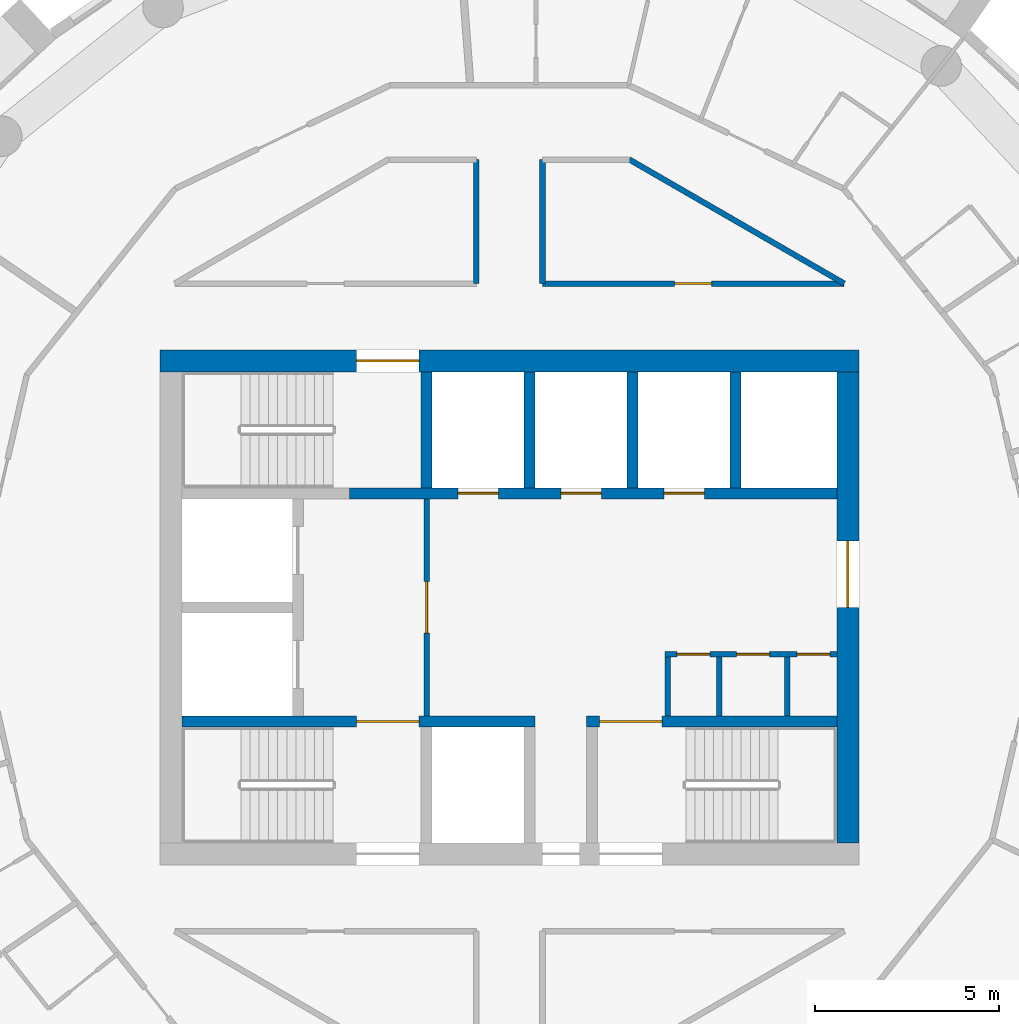
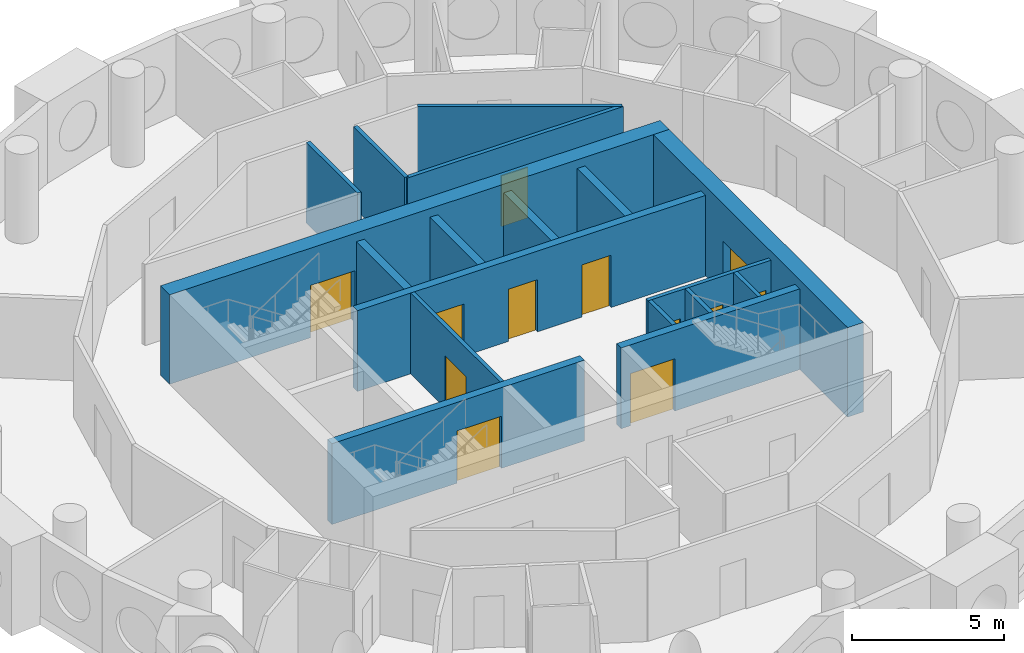
# One storey, part 8 of 13: 18 walls, 12 doors, 12 openings.
"""IFC4 building model written with IfcOpenShell, lengths in metres."""

from ifc_helpers import new_model, si_unit, direction, frame, frame_2d, origin, place, context, subcontext, project, spatial, rectangle, extrude, material, layer, layer_set, type_object, element, fill, save


model = new_model("IFC4")

# Units and contexts
model_context = context("Model", 3, precision=1e-05, world=origin(), true_north=direction((0.0, 1.0)))
body_context = subcontext(model_context, "Body", "Model", "MODEL_VIEW")
ifc_project = project(units=[si_unit("LENGTHUNIT", "METRE"), si_unit("AREAUNIT", "SQUARE_METRE"), si_unit("VOLUMEUNIT", "CUBIC_METRE"), si_unit("PLANEANGLEUNIT", "RADIAN"), si_unit("MASSUNIT", "GRAM", prefix="KILO")], contexts=[model_context])

# Site, building, storey
site_placement = place(None, origin())
site = spatial("IfcSite", under=ifc_project, at=site_placement, CompositionType="ELEMENT")
building_placement = place(site_placement, origin())
building = spatial("IfcBuilding", under=site, at=building_placement, Name="Tracery Tower", CompositionType="ELEMENT")
storey_placement = place(building_placement, frame((0.0, 0.0, 256.199951171875)))
storey = spatial("IfcBuildingStorey", under=building, at=storey_placement, Name="L66", CompositionType="ELEMENT", Elevation=256.199951171875)

# Wall, opening, door
ifc_material_1 = material(Name="Plasterboard on steel studs", Category="steel")
ifc_layer_1 = layer(ifc_material_1, 0.14990234375)
ifc_layer_set_1 = layer_set([ifc_layer_1], Name="Core lobby partition 150")
wall_type_1 = type_object("IfcWallType", Name="Core lobby partition 150", PredefinedType="SOLIDWALL", material=ifc_layer_set_1)
wall_1_placement = place(storey_placement, frame((-2.25, -2.949951171875, 0.0), z_axis=(0.0, 0.0, 1.0), x_axis=(0.0, 1.0, 0.0)))
wall_1 = element("IfcWall", 1, at=wall_1_placement, inside=storey, type_object=wall_type_1, Name="L66 FF lobby E", PredefinedType="SOLIDWALL", context=body_context, shape_type="SweptSolid", body=[
    extrude(rectangle(XDim=5.89990234375, YDim=0.14990234375, at=frame_2d((2.949951171875, 0.0))), origin(), (0.0, 0.0, 1.0), 3.25),
])
opening_1_placement = place(wall_1_placement, frame((2.25, 0.0, 0.0)))
opening_1 = element("IfcOpeningElement", 2, at=opening_1_placement, cuts=wall_1, Name="Opening KD8", PredefinedType="OPENING", context=body_context, shape_type="SweptSolid", body=[
    extrude(rectangle(XDim=1.39990234375, YDim=2.10009765625, at=frame_2d((0.699951171875, 1.050048828125))), frame((0.0, 0.074951171875, 0.0), z_axis=(0.0, -1.0, 0.0), x_axis=(1.0, 0.0, 0.0)), (0.0, 0.0, 1.0), 0.14990234375),
])
ifc_material_2 = material(Name="Steel fire door", Category="steel")
door_type_1 = type_object("IfcDoorType", Name="Core lobby door 1400 double", OperationType="NOTDEFINED", PredefinedType="DOOR", material=ifc_material_2)
door_1_placement = place(opening_1_placement, origin())
door_1 = element("IfcDoor", 3, at=door_1_placement, inside=storey, type_object=door_type_1, Name="Fire-fighting lobby door", OperationType="DOUBLE_DOOR_SINGLE_SWING", OverallHeight=2.10009765625, OverallWidth=1.39990234375, PredefinedType="DOOR", context=body_context, shape_type="SweptSolid", body=[
    extrude(rectangle(XDim=1.39990234375, YDim=2.10009765625, at=frame_2d((0.699951171875, 1.050048828125))), frame((0.0, 0.02490234375, 0.0), z_axis=(0.0, -1.0, 0.0), x_axis=(1.0, 0.0, 0.0)), (0.0, 0.0, 1.0), 0.050048828125),
])
fill(opening_1, door_1)

# Wall
ifc_material_3 = material(Name="Plasterboard on steel studs", Category="steel")
ifc_layer_2 = layer(ifc_material_3, 0.14990234375)
ifc_layer_set_2 = layer_set([ifc_layer_2], Name="Core room partition 150")
wall_type_2 = type_object("IfcWallType", Name="Core room partition 150", PredefinedType="SOLIDWALL", material=ifc_layer_set_2)
wall_2_placement = place(storey_placement, frame((4.300048828125, -2.949951171875, 0.0), z_axis=(0.0, 0.0, 1.0), x_axis=(0.0, 1.0, 0.0)))
element("IfcWall", 4, at=wall_2_placement, inside=storey, type_object=wall_type_2, Name="L66 slot W", PredefinedType="SOLIDWALL", context=body_context, shape_type="SweptSolid", body=[
    extrude(rectangle(XDim=1.599853515625, YDim=0.14990234375, at=frame_2d((0.7998046875, 0.0))), origin(), (0.0, 0.0, 1.0), 3.25),
])

# Wall, openings, doors
wall_3_placement = place(storey_placement, frame((4.22509765625, -1.27490234375, 0.0), z_axis=(0.0, 0.0, 1.0), x_axis=(1.0, 0.0, 0.0)))
wall_3 = element("IfcWall", 5, at=wall_3_placement, inside=storey, type_object=wall_type_2, Name="L66 slot N", PredefinedType="SOLIDWALL", context=body_context, shape_type="SweptSolid", body=[
    extrude(rectangle(XDim=4.6748046875, YDim=0.14990234375, at=frame_2d((2.33740234375, 0.0))), origin(), (0.0, 0.0, 1.0), 3.25),
])
opening_2_placement = place(wall_3_placement, frame((0.324951171875, 0.0, 0.0)))
opening_2 = element("IfcOpeningElement", 6, at=opening_2_placement, cuts=wall_3, Name="Opening KD27", PredefinedType="OPENING", context=body_context, shape_type="SweptSolid", body=[
    extrude(rectangle(XDim=0.89990234375, YDim=2.10009765625, at=frame_2d((0.449951171875, 1.050048828125))), frame((0.0, 0.074951171875, 0.0), z_axis=(0.0, -1.0, 0.0), x_axis=(1.0, 0.0, 0.0)), (0.0, 0.0, 1.0), 0.14990234375),
])
opening_3_placement = place(wall_3_placement, frame((1.949951171875, 0.0, 0.0)))
opening_3 = element("IfcOpeningElement", 7, at=opening_3_placement, cuts=wall_3, Name="Opening KD21", PredefinedType="OPENING", context=body_context, shape_type="SweptSolid", body=[
    extrude(rectangle(XDim=0.89990234375, YDim=2.10009765625, at=frame_2d((0.449951171875, 1.050048828125))), frame((0.0, 0.074951171875, 0.0), z_axis=(0.0, -1.0, 0.0), x_axis=(1.0, 0.0, 0.0)), (0.0, 0.0, 1.0), 0.14990234375),
])
opening_4_placement = place(wall_3_placement, frame((3.58740234375, 0.0, 0.0)))
opening_4 = element("IfcOpeningElement", 8, at=opening_4_placement, cuts=wall_3, Name="Opening KD32", PredefinedType="OPENING", context=body_context, shape_type="SweptSolid", body=[
    extrude(rectangle(XDim=0.89990234375, YDim=2.10009765625, at=frame_2d((0.449951171875, 1.050048828125))), frame((0.0, 0.074951171875, 0.0), z_axis=(0.0, -1.0, 0.0), x_axis=(1.0, 0.0, 0.0)), (0.0, 0.0, 1.0), 0.14990234375),
])
ifc_material_4 = material(Name="Timber door leaf", Category="wood")
door_type_2 = type_object("IfcDoorType", Name="Core WC door 900", OperationType="NOTDEFINED", PredefinedType="DOOR", material=ifc_material_4)
door_2_placement = place(opening_3_placement, origin())
door_2 = element("IfcDoor", 9, at=door_2_placement, inside=storey, type_object=door_type_2, Name="Core door", OperationType="SINGLE_SWING_LEFT", OverallHeight=2.10009765625, OverallWidth=0.89990234375, PredefinedType="DOOR", context=body_context, shape_type="SweptSolid", body=[
    extrude(rectangle(XDim=0.89990234375, YDim=2.10009765625, at=frame_2d((0.449951171875, 1.050048828125))), frame((0.0, 0.02490234375, 0.0), z_axis=(0.0, -1.0, 0.0), x_axis=(1.0, 0.0, 0.0)), (0.0, 0.0, 1.0), 0.050048828125),
])
fill(opening_3, door_2)
ifc_material_5 = material(Name="Steel fire door", Category="steel")
door_type_3 = type_object("IfcDoorType", Name="Core riser door 900", OperationType="NOTDEFINED", PredefinedType="DOOR", material=ifc_material_5)
door_3_placement = place(opening_4_placement, origin())
door_3 = element("IfcDoor", 10, at=door_3_placement, inside=storey, type_object=door_type_3, Name="Core door", OperationType="SINGLE_SWING_RIGHT", OverallHeight=2.10009765625, OverallWidth=0.89990234375, PredefinedType="DOOR", context=body_context, shape_type="SweptSolid", body=[
    extrude(rectangle(XDim=0.89990234375, YDim=2.10009765625, at=frame_2d((0.449951171875, 1.050048828125))), frame((0.0, 0.02490234375, 0.0), z_axis=(0.0, -1.0, 0.0), x_axis=(1.0, 0.0, 0.0)), (0.0, 0.0, 1.0), 0.050048828125),
])
fill(opening_4, door_3)
ifc_material_6 = material(Name="Timber door leaf", Category="wood")
door_type_4 = type_object("IfcDoorType", Name="Core store door 900", OperationType="NOTDEFINED", PredefinedType="DOOR", material=ifc_material_6)
door_4_placement = place(opening_2_placement, origin())
door_4 = element("IfcDoor", 11, at=door_4_placement, inside=storey, type_object=door_type_4, Name="Core door", OperationType="SINGLE_SWING_RIGHT", OverallHeight=2.10009765625, OverallWidth=0.89990234375, PredefinedType="DOOR", context=body_context, shape_type="SweptSolid", body=[
    extrude(rectangle(XDim=0.89990234375, YDim=2.10009765625, at=frame_2d((0.449951171875, 1.050048828125))), frame((0.0, 0.02490234375, 0.0), z_axis=(0.0, -1.0, 0.0), x_axis=(1.0, 0.0, 0.0)), (0.0, 0.0, 1.0), 0.050048828125),
])
fill(opening_2, door_4)

# Walls
for number, where, z_axis, x_axis, name in (
    (12, (5.699951171875, -2.949951171875, 0.0), (0.0, 0.0, 1.0), (0.0, 1.0, 0.0), "L66 slot sep 1"),
    (13, (7.550048828125, -2.949951171875, 0.0), (0.0, 0.0, 1.0), (0.0, 1.0, 0.0), "L66 slot sep 2"),
):
    element("IfcWall", number, at=place(storey_placement, frame(where, z_axis=z_axis, x_axis=x_axis)), inside=storey, type_object=wall_type_2, Name=name, PredefinedType="SOLIDWALL", context=body_context, shape_type="SweptSolid", body=[
        extrude(rectangle(XDim=1.599853515625, YDim=0.14990234375, at=frame_2d((0.7998046875, 0.0))), origin(), (0.0, 0.0, 1.0), 3.25),
    ])

# Wall, opening, door
ifc_material_7 = material(Name="Concrete C40/50", Category="concrete")
ifc_layer_3 = layer(ifc_material_7, 0.60009765625)
ifc_layer_set_3 = layer_set([ifc_layer_3], Name="Core wall 600 C40")
wall_type_3 = type_object("IfcWallType", Name="Core wall 600 C40", PredefinedType="SOLIDWALL", material=ifc_layer_set_3)
wall_4_placement = place(storey_placement, frame((-9.5, 6.699951171875, 0.0), z_axis=(0.0, 0.0, 1.0), x_axis=(1.0, 0.0, 0.0)))
wall_4 = element("IfcWall", 14, at=wall_4_placement, inside=storey, type_object=wall_type_3, Name="L66 outer N", PredefinedType="SOLIDWALL", context=body_context, shape_type="SweptSolid", body=[
    extrude(rectangle(XDim=19.0, YDim=0.60009765625, at=frame_2d((9.5, 0.0))), origin(), (0.0, 0.0, 1.0), 3.60009765625),
])
opening_5_placement = place(wall_4_placement, frame((5.35009765625, 0.0, 0.0)))
opening_5 = element("IfcOpeningElement", 15, at=opening_5_placement, cuts=wall_4, Name="Opening KD3", PredefinedType="OPENING", context=body_context, shape_type="SweptSolid", body=[
    extrude(rectangle(XDim=1.699951171875, YDim=2.10009765625, at=frame_2d((0.85009765625, 1.050048828125))), frame((0.0, 0.300048828125, 0.0), z_axis=(0.0, -1.0, 0.0), x_axis=(1.0, 0.0, 0.0)), (0.0, 0.0, 1.0), 0.60009765625),
])
ifc_material_8 = material(Name="Steel fire door", Category="steel")
door_type_5 = type_object("IfcDoorType", Name="Core stair door 1700 double", OperationType="NOTDEFINED", PredefinedType="DOOR", material=ifc_material_8)
door_5_placement = place(opening_5_placement, origin())
door_5 = element("IfcDoor", 16, at=door_5_placement, inside=storey, type_object=door_type_5, Name="Stair door ST3 exit", OperationType="DOUBLE_DOOR_SINGLE_SWING", OverallHeight=2.10009765625, OverallWidth=1.699951171875, PredefinedType="DOOR", context=body_context, shape_type="SweptSolid", body=[
    extrude(rectangle(XDim=1.699951171875, YDim=2.10009765625, at=frame_2d((0.85009765625, 1.050048828125))), frame((0.0, 0.02490234375, 0.0), z_axis=(0.0, -1.0, 0.0), x_axis=(1.0, 0.0, 0.0)), (0.0, 0.0, 1.0), 0.050048828125),
])
fill(opening_5, door_5)

wall_5_placement = place(storey_placement, frame((9.199951171875, -6.39990234375, 0.0), z_axis=(0.0, 0.0, 1.0), x_axis=(0.0, 1.0, 0.0)))
wall_5 = element("IfcWall", 17, at=wall_5_placement, inside=storey, type_object=wall_type_3, Name="L66 outer E", PredefinedType="SOLIDWALL", context=body_context, shape_type="SweptSolid", body=[
    extrude(rectangle(XDim=12.7998046875, YDim=0.60009765625, at=frame_2d((6.39990234375, 0.0))), origin(), (0.0, 0.0, 1.0), 3.60009765625),
])
opening_6_placement = place(wall_5_placement, frame((6.39990234375, 0.0, 0.0)))
opening_6 = element("IfcOpeningElement", 18, at=opening_6_placement, cuts=wall_5, Name="Opening KD13", PredefinedType="OPENING", context=body_context, shape_type="SweptSolid", body=[
    extrude(rectangle(XDim=1.800048828125, YDim=2.10009765625, at=frame_2d((0.89990234375, 1.050048828125))), frame((0.0, 0.300048828125, 0.0), z_axis=(0.0, -1.0, 0.0), x_axis=(1.0, 0.0, 0.0)), (0.0, 0.0, 1.0), 0.60009765625),
])
ifc_material_9 = material(Name="Steel fire door", Category="steel")
door_type_6 = type_object("IfcDoorType", Name="Core exit door 1800 double", OperationType="NOTDEFINED", PredefinedType="DOOR", material=ifc_material_9)
door_6_placement = place(opening_6_placement, origin())
door_6 = element("IfcDoor", 19, at=door_6_placement, inside=storey, type_object=door_type_6, Name="Core exit door", OperationType="DOUBLE_DOOR_SINGLE_SWING", OverallHeight=2.10009765625, OverallWidth=1.800048828125, PredefinedType="DOOR", context=body_context, shape_type="SweptSolid", body=[
    extrude(rectangle(XDim=1.800048828125, YDim=2.10009765625, at=frame_2d((0.89990234375, 1.050048828125))), frame((0.0, 0.02490234375, 0.0), z_axis=(0.0, -1.0, 0.0), x_axis=(1.0, 0.0, 0.0)), (0.0, 0.0, 1.0), 0.050048828125),
])
fill(opening_6, door_6)

ifc_material_10 = material(Name="Plasterboard on steel studs", Category="steel")
ifc_layer_4 = layer(ifc_material_10, 0.14990234375)
ifc_layer_set_4 = layer_set([ifc_layer_4], Name="Partition 150 corridor wall")
wall_type_4 = type_object("IfcWallType", Name="Partition 150 corridor wall", PredefinedType="PARTITIONING", material=ifc_layer_set_4)
wall_6_placement = place(storey_placement, frame((0.89599609375, 8.800048828125, 0.0), z_axis=(0.0, 0.0, 1.0), x_axis=(1.0, 0.0, 0.0)))
wall_6 = element("IfcWall", 20, at=wall_6_placement, inside=storey, type_object=wall_type_4, Name="Corridor wall RC3-003", PredefinedType="PARTITIONING", context=body_context, shape_type="SweptSolid", body=[
    extrude(rectangle(XDim=8.20458984375, YDim=0.14990234375, at=frame_2d((4.102294921875, 0.0))), origin(), (0.0, 0.0, 1.0), 3.25),
])
opening_7_placement = place(wall_6_placement, frame((3.597900390625, 0.0, 0.0)))
opening_7 = element("IfcOpeningElement", 21, at=opening_7_placement, cuts=wall_6, Name="Opening RC3-02", PredefinedType="OPENING", context=body_context, shape_type="SweptSolid", body=[
    extrude(rectangle(XDim=1.0, YDim=2.0400390625, at=frame_2d((0.5, 1.02001953125))), frame((0.0, 0.074951171875, 0.0), z_axis=(0.0, -1.0, 0.0), x_axis=(1.0, 0.0, 0.0)), (0.0, 0.0, 1.0), 0.14990234375),
])
ifc_material_11 = material(Name="Timber door leaf", Category="wood")
door_type_7 = type_object("IfcDoorType", Name="Door communal room 1000", OperationType="NOTDEFINED", PredefinedType="DOOR", material=ifc_material_11)
door_7_placement = place(opening_7_placement, origin())
door_7 = element("IfcDoor", 22, at=door_7_placement, inside=storey, type_object=door_type_7, Name="Communal room door RC3-02", OperationType="SINGLE_SWING_RIGHT", OverallHeight=2.0400390625, OverallWidth=1.0, PredefinedType="DOOR", context=body_context, shape_type="SweptSolid", body=[
    extrude(rectangle(XDim=1.0, YDim=2.0400390625, at=frame_2d((0.5, 1.02001953125))), frame((0.0, 0.02490234375, 0.0), z_axis=(0.0, -1.0, 0.0), x_axis=(1.0, 0.0, 0.0)), (0.0, 0.0, 1.0), 0.050048828125),
])
fill(opening_7, door_7)

# Walls
wall_7_placement = place(storey_placement, frame((-0.89990234375, 8.800048828125, 0.0), z_axis=(0.0, 0.0, 1.0), x_axis=(0.0, 1.0, 0.0)))
element("IfcWall", 23, at=wall_7_placement, inside=storey, type_object=wall_type_4, Name="Corridor wall RC3-026", PredefinedType="PARTITIONING", context=body_context, shape_type="SweptSolid", body=[
    extrude(rectangle(XDim=3.370849609375, YDim=0.14990234375, at=frame_2d((1.685546875, 0.0))), origin(), (0.0, 0.0, 1.0), 3.25),
])
wall_8_placement = place(storey_placement, frame((3.260986328125, 12.1708984375, 0.0), z_axis=(0.0, 0.0, 1.0), x_axis=(0.866066809554, -0.499928276245, 0.0)))
element("IfcWall", 24, at=wall_8_placement, inside=storey, type_object=wall_type_4, Name="Corridor wall RC3-028", PredefinedType="PARTITIONING", context=body_context, shape_type="SweptSolid", body=[
    extrude(rectangle(XDim=6.74267578125, YDim=0.14990234375, at=frame_2d((3.371337890625, 0.0))), origin(), (0.0, 0.0, 1.0), 3.25),
])
wall_9_placement = place(storey_placement, frame((0.89990234375, 8.800048828125, 0.0), z_axis=(0.0, 0.0, 1.0), x_axis=(0.0, 1.0, 0.0)))
element("IfcWall", 25, at=wall_9_placement, inside=storey, type_object=wall_type_4, Name="Corridor wall RC3-030", PredefinedType="PARTITIONING", context=body_context, shape_type="SweptSolid", body=[
    extrude(rectangle(XDim=3.370849609375, YDim=0.14990234375, at=frame_2d((1.685546875, 0.0))), origin(), (0.0, 0.0, 1.0), 3.25),
])
ifc_material_12 = material(Name="Concrete C40/50", Category="concrete")
ifc_layer_5 = layer(ifc_material_12, 0.300048828125)
ifc_layer_set_5 = layer_set([ifc_layer_5], Name="Shaft wall 300 C40")
wall_type_5 = type_object("IfcWallType", Name="Shaft wall 300 C40", PredefinedType="SOLIDWALL", material=ifc_layer_set_5)
for number, where, z_axis, x_axis, name in (
    (26, (0.550048828125, 3.25, 0.0), (0.0, 0.0, 1.0), (0.0, 1.0, 0.0), "L66 HR sep 1"),
    (27, (3.35009765625, 3.25, 0.0), (0.0, 0.0, 1.0), (0.0, 1.0, 0.0), "L66 HR sep 2"),
    (28, (6.14990234375, 3.25, 0.0), (0.0, 0.0, 1.0), (0.0, 1.0, 0.0), "L66 HR sep 3"),
):
    element("IfcWall", number, at=place(storey_placement, frame(where, z_axis=z_axis, x_axis=x_axis)), inside=storey, type_object=wall_type_5, Name=name, PredefinedType="SOLIDWALL", context=body_context, shape_type="SweptSolid", body=[
        extrude(rectangle(XDim=3.14990234375, YDim=0.300048828125, at=frame_2d((1.574951171875, 0.0))), origin(), (0.0, 0.0, 1.0), 3.25),
    ])

# Wall, opening, door
ifc_material_13 = material(Name="Concrete C40/50", Category="concrete")
ifc_layer_6 = layer(ifc_material_13, 0.300048828125)
ifc_layer_set_6 = layer_set([ifc_layer_6], Name="Stair wall 300 C40")
wall_type_6 = type_object("IfcWallType", Name="Stair wall 300 C40", PredefinedType="SOLIDWALL", material=ifc_layer_set_6)
wall_10_placement = place(storey_placement, frame((-8.89990234375, -3.10009765625, 0.0), z_axis=(0.0, 0.0, 1.0), x_axis=(1.0, 0.0, 0.0)))
wall_10 = element("IfcWall", 29, at=wall_10_placement, inside=storey, type_object=wall_type_6, Name="L66 row S", PredefinedType="SOLIDWALL", context=body_context, shape_type="SweptSolid", body=[
    extrude(rectangle(XDim=9.599853515625, YDim=0.300048828125, at=frame_2d((4.7998046875, 0.0))), origin(), (0.0, 0.0, 1.0), 3.25),
])
opening_8_placement = place(wall_10_placement, frame((4.75, 0.0, 0.0)))
opening_8 = element("IfcOpeningElement", 30, at=opening_8_placement, cuts=wall_10, Name="Opening KD3", PredefinedType="OPENING", context=body_context, shape_type="SweptSolid", body=[
    extrude(rectangle(XDim=1.699951171875, YDim=2.10009765625, at=frame_2d((0.85009765625, 1.050048828125))), frame((0.0, 0.14990234375, 0.0), z_axis=(0.0, -1.0, 0.0), x_axis=(1.0, 0.0, 0.0)), (0.0, 0.0, 1.0), 0.300048828125),
])
door_8_placement = place(opening_8_placement, origin())
door_8 = element("IfcDoor", 31, at=door_8_placement, inside=storey, type_object=door_type_5, Name="Stair door ST1", OperationType="DOUBLE_DOOR_SINGLE_SWING", OverallHeight=2.10009765625, OverallWidth=1.699951171875, PredefinedType="DOOR", context=body_context, shape_type="SweptSolid", body=[
    extrude(rectangle(XDim=1.699951171875, YDim=2.10009765625, at=frame_2d((0.85009765625, 1.050048828125))), frame((0.0, 0.02490234375, 0.0), z_axis=(0.0, -1.0, 0.0), x_axis=(1.0, 0.0, 0.0)), (0.0, 0.0, 1.0), 0.050048828125),
])
fill(opening_8, door_8)

wall_11_placement = place(storey_placement, frame((2.10009765625, -3.10009765625, 0.0), z_axis=(0.0, 0.0, 1.0), x_axis=(1.0, 0.0, 0.0)))
wall_11 = element("IfcWall", 32, at=wall_11_placement, inside=storey, type_object=wall_type_6, Name="L66 row S E", PredefinedType="SOLIDWALL", context=body_context, shape_type="SweptSolid", body=[
    extrude(rectangle(XDim=6.7998046875, YDim=0.300048828125, at=frame_2d((3.39990234375, 0.0))), origin(), (0.0, 0.0, 1.0), 3.25),
])
opening_9_placement = place(wall_11_placement, frame((0.35009765625, 0.0, 0.0)))
opening_9 = element("IfcOpeningElement", 33, at=opening_9_placement, cuts=wall_11, Name="Opening KD3", PredefinedType="OPENING", context=body_context, shape_type="SweptSolid", body=[
    extrude(rectangle(XDim=1.699951171875, YDim=2.10009765625, at=frame_2d((0.85009765625, 1.050048828125))), frame((0.0, 0.14990234375, 0.0), z_axis=(0.0, -1.0, 0.0), x_axis=(1.0, 0.0, 0.0)), (0.0, 0.0, 1.0), 0.300048828125),
])
door_9_placement = place(opening_9_placement, origin())
door_9 = element("IfcDoor", 34, at=door_9_placement, inside=storey, type_object=door_type_5, Name="Stair door ST2", OperationType="DOUBLE_DOOR_SINGLE_SWING", OverallHeight=2.10009765625, OverallWidth=1.699951171875, PredefinedType="DOOR", context=body_context, shape_type="SweptSolid", body=[
    extrude(rectangle(XDim=1.699951171875, YDim=2.10009765625, at=frame_2d((0.85009765625, 1.050048828125))), frame((0.0, 0.02490234375, 0.0), z_axis=(0.0, -1.0, 0.0), x_axis=(1.0, 0.0, 0.0)), (0.0, 0.0, 1.0), 0.050048828125),
])
fill(opening_9, door_9)

# Wall, openings, doors
wall_12_placement = place(storey_placement, frame((-4.35009765625, 3.10009765625, 0.0), z_axis=(0.0, 0.0, 1.0), x_axis=(1.0, 0.0, 0.0)))
wall_12 = element("IfcWall", 35, at=wall_12_placement, inside=storey, type_object=wall_type_6, Name="L66 row N", PredefinedType="SOLIDWALL", context=body_context, shape_type="SweptSolid", body=[
    extrude(rectangle(XDim=13.25, YDim=0.300048828125, at=frame_2d((6.625, 0.0))), origin(), (0.0, 0.0, 1.0), 3.25),
])
opening_10_placement = place(wall_12_placement, frame((2.949951171875, 0.0, 0.0)))
opening_10 = element("IfcOpeningElement", 36, at=opening_10_placement, cuts=wall_12, Name="Opening KD49", PredefinedType="OPENING", context=body_context, shape_type="SweptSolid", body=[
    extrude(rectangle(XDim=1.10009765625, YDim=2.10009765625, at=frame_2d((0.550048828125, 1.050048828125))), frame((0.0, 0.14990234375, 0.0), z_axis=(0.0, -1.0, 0.0), x_axis=(1.0, 0.0, 0.0)), (0.0, 0.0, 1.0), 0.300048828125),
])
opening_11_placement = place(wall_12_placement, frame((5.75, 0.0, 0.0)))
opening_11 = element("IfcOpeningElement", 37, at=opening_11_placement, cuts=wall_12, Name="Opening KD50", PredefinedType="OPENING", context=body_context, shape_type="SweptSolid", body=[
    extrude(rectangle(XDim=1.10009765625, YDim=2.10009765625, at=frame_2d((0.550048828125, 1.050048828125))), frame((0.0, 0.14990234375, 0.0), z_axis=(0.0, -1.0, 0.0), x_axis=(1.0, 0.0, 0.0)), (0.0, 0.0, 1.0), 0.300048828125),
])
opening_12_placement = place(wall_12_placement, frame((8.550048828125, 0.0, 0.0)))
opening_12 = element("IfcOpeningElement", 38, at=opening_12_placement, cuts=wall_12, Name="Opening KD49", PredefinedType="OPENING", context=body_context, shape_type="SweptSolid", body=[
    extrude(rectangle(XDim=1.10009765625, YDim=2.10009765625, at=frame_2d((0.550048828125, 1.050048828125))), frame((0.0, 0.14990234375, 0.0), z_axis=(0.0, -1.0, 0.0), x_axis=(1.0, 0.0, 0.0)), (0.0, 0.0, 1.0), 0.300048828125),
])
ifc_material_14 = material(Name="Steel fire door", Category="steel")
door_type_8 = type_object("IfcDoorType", Name="Landing door 1100", OperationType="NOTDEFINED", PredefinedType="DOOR", material=ifc_material_14)
door_10_placement = place(opening_10_placement, origin())
door_10 = element("IfcDoor", 39, at=door_10_placement, inside=storey, type_object=door_type_8, Name="Landing door HR1", OperationType="SLIDING_TO_LEFT", OverallHeight=2.10009765625, OverallWidth=1.10009765625, PredefinedType="DOOR", context=body_context, shape_type="SweptSolid", body=[
    extrude(rectangle(XDim=1.10009765625, YDim=2.10009765625, at=frame_2d((0.550048828125, 1.050048828125))), frame((0.0, 0.02490234375, 0.0), z_axis=(0.0, -1.0, 0.0), x_axis=(1.0, 0.0, 0.0)), (0.0, 0.0, 1.0), 0.050048828125),
])
fill(opening_10, door_10)
door_11_placement = place(opening_11_placement, origin())
door_11 = element("IfcDoor", 40, at=door_11_placement, inside=storey, type_object=door_type_8, Name="Landing door HR2", OperationType="SLIDING_TO_RIGHT", OverallHeight=2.10009765625, OverallWidth=1.10009765625, PredefinedType="DOOR", context=body_context, shape_type="SweptSolid", body=[
    extrude(rectangle(XDim=1.10009765625, YDim=2.10009765625, at=frame_2d((0.550048828125, 1.050048828125))), frame((0.0, 0.02490234375, 0.0), z_axis=(0.0, -1.0, 0.0), x_axis=(1.0, 0.0, 0.0)), (0.0, 0.0, 1.0), 0.050048828125),
])
fill(opening_11, door_11)
door_12_placement = place(opening_12_placement, origin())
door_12 = element("IfcDoor", 41, at=door_12_placement, inside=storey, type_object=door_type_8, Name="Landing door HR3", OperationType="SLIDING_TO_LEFT", OverallHeight=2.10009765625, OverallWidth=1.10009765625, PredefinedType="DOOR", context=body_context, shape_type="SweptSolid", body=[
    extrude(rectangle(XDim=1.10009765625, YDim=2.10009765625, at=frame_2d((0.550048828125, 1.050048828125))), frame((0.0, 0.02490234375, 0.0), z_axis=(0.0, -1.0, 0.0), x_axis=(1.0, 0.0, 0.0)), (0.0, 0.0, 1.0), 0.050048828125),
])
fill(opening_12, door_12)

# Wall
wall_13_placement = place(storey_placement, frame((-2.25, 3.25, 0.0), z_axis=(0.0, 0.0, 1.0), x_axis=(0.0, 1.0, 0.0)))
element("IfcWall", 42, at=wall_13_placement, inside=storey, type_object=wall_type_6, Name="L66 ST3 E", PredefinedType="SOLIDWALL", context=body_context, shape_type="SweptSolid", body=[
    extrude(rectangle(XDim=3.14990234375, YDim=0.300048828125, at=frame_2d((1.574951171875, 0.0))), origin(), (0.0, 0.0, 1.0), 3.25),
])

save(model, "model.ifc")
